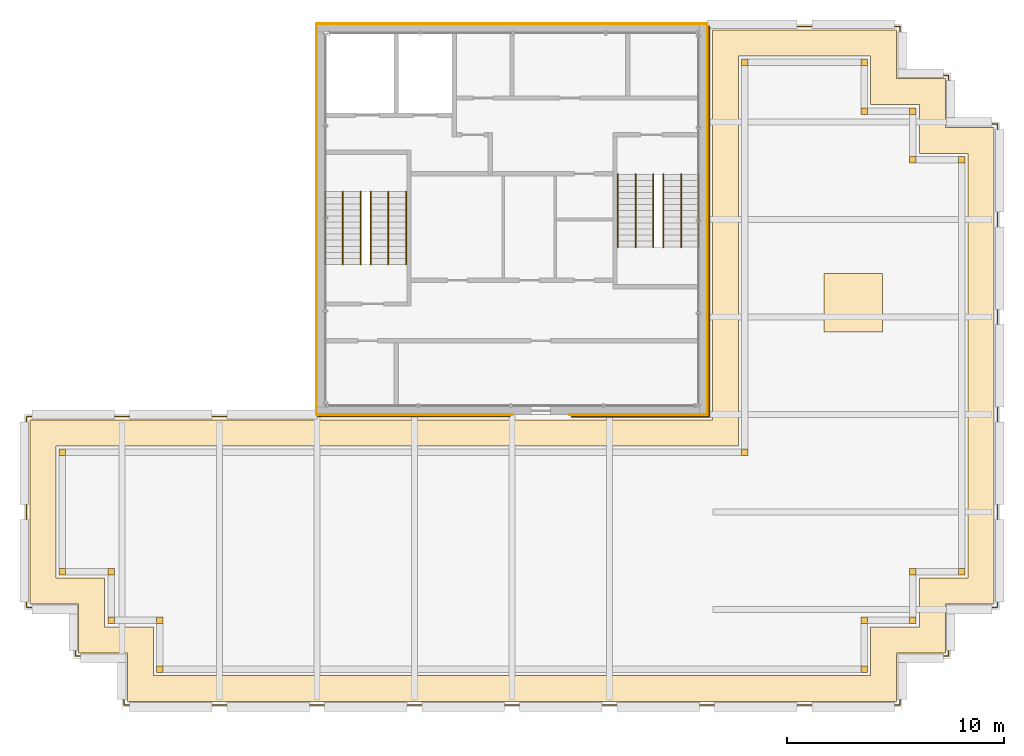
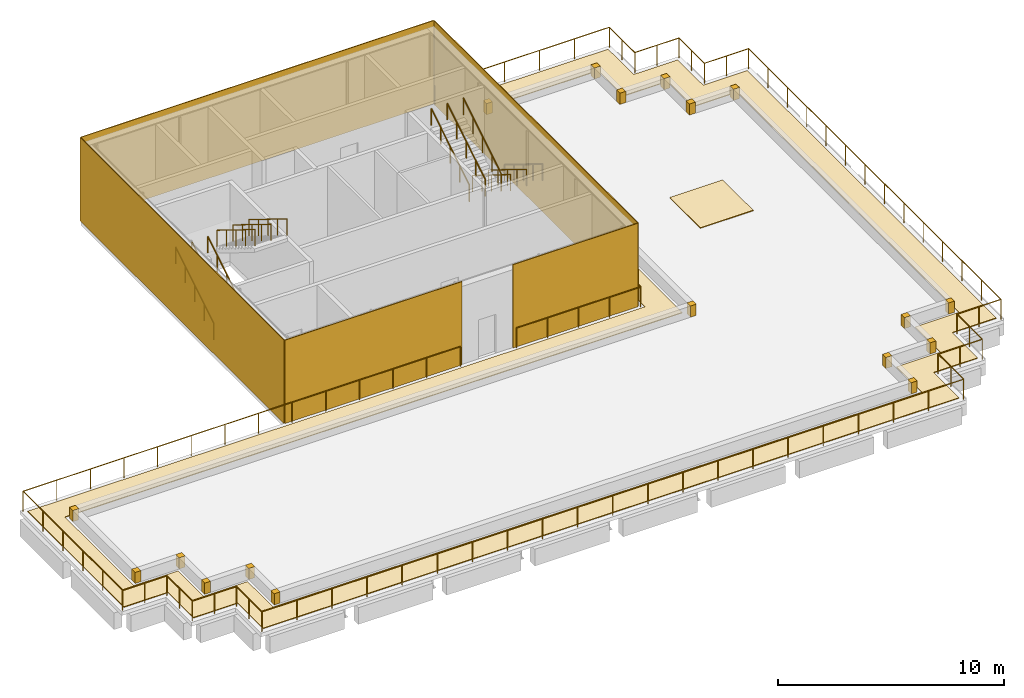
# One storey, part 11 of 11: 25 coverings, 14 railings.
"""IFC4 building model written with IfcOpenShell, lengths in metres."""

from ifc_helpers import new_model, si_unit, direction, frame, origin, origin_2d, place, context, subcontext, project, spatial, polyline, rectangle, circle, outline, extrude, source, transform, mapped, material, layer, layer_set, type_object, element, save


model = new_model("IFC4")

# Units and contexts
model_context = context("Model", 3, precision=1e-05, world=origin(), true_north=direction((0.0, 1.0)))
body_context = subcontext(model_context, "Body", "Model", "MODEL_VIEW")
ifc_project = project(units=[si_unit("LENGTHUNIT", "METRE"), si_unit("AREAUNIT", "SQUARE_METRE"), si_unit("VOLUMEUNIT", "CUBIC_METRE"), si_unit("PLANEANGLEUNIT", "RADIAN"), si_unit("MASSUNIT", "GRAM", prefix="KILO")], contexts=[model_context])

# Site, building, storey
site_placement = place(None, origin())
site = spatial("IfcSite", under=ifc_project, at=site_placement, CompositionType="ELEMENT")
building_placement = place(site_placement, origin())
building = spatial("IfcBuilding", under=site, at=building_placement, Name="Altepetl Exchange Towers", CompositionType="ELEMENT")
storey_placement = place(building_placement, frame((0.0, 0.0, 274.60009765625)))
storey = spatial("IfcBuildingStorey", under=building, at=storey_placement, Name="L69 Crown plant", CompositionType="ELEMENT", Elevation=274.60009765625)

# Coverings
ifc_material_1 = material(Name="Concrete C30/37", Category="concrete")
ifc_layer_1 = layer(ifc_material_1, 0.300048828125)
ifc_layer_set_1 = layer_set([ifc_layer_1], Name="Concrete C30/37")
covering_type_1 = type_object("IfcCoveringType", Name="Planter corner block 300 concrete", PredefinedType="CLADDING", material=ifc_layer_set_1)
covering_1_placement = place(storey_placement, origin())
element("IfcCovering", 1, at=covering_1_placement, inside=storey, type_object=covering_type_1, Name="Planter corner block", PredefinedType="CLADDING", context=body_context, shape_type="SweptSolid", body=[
    extrude(outline(polyline([(60.39990234375, 56.89990234375), (60.10009765625, 56.89990234375), (60.10009765625, 56.60009765625), (60.39990234375, 56.60009765625), (60.39990234375, 56.89990234375)])), origin(), (0.0, 0.0, 1.0), 0.599853515625),
])
covering_2_placement = place(storey_placement, origin())
element("IfcCovering", 2, at=covering_2_placement, inside=storey, type_object=covering_type_1, Name="Planter corner block", PredefinedType="CLADDING", context=body_context, shape_type="SweptSolid", body=[
    extrude(outline(polyline([(60.10009765625, 38.60009765625), (60.39990234375, 38.60009765625), (60.39990234375, 38.89990234375), (60.10009765625, 38.89990234375), (60.10009765625, 38.60009765625)])), origin(), (0.0, 0.0, 1.0), 0.599853515625),
])
covering_3_placement = place(storey_placement, origin())
element("IfcCovering", 3, at=covering_3_placement, inside=storey, type_object=covering_type_1, Name="Planter corner block", PredefinedType="CLADDING", context=body_context, shape_type="SweptSolid", body=[
    extrude(outline(polyline([(28.89990234375, 38.60009765625), (28.89990234375, 38.89990234375), (28.60009765625, 38.89990234375), (28.60009765625, 38.60009765625), (28.89990234375, 38.60009765625)])), origin(), (0.0, 0.0, 1.0), 0.599853515625),
])
covering_4_placement = place(storey_placement, origin())
element("IfcCovering", 4, at=covering_4_placement, inside=storey, type_object=covering_type_1, Name="Planter corner block", PredefinedType="CLADDING", context=body_context, shape_type="SweptSolid", body=[
    extrude(outline(polyline([(28.89990234375, 33.39990234375), (28.60009765625, 33.39990234375), (28.60009765625, 33.10009765625), (28.89990234375, 33.10009765625), (28.89990234375, 33.39990234375)])), origin(), (0.0, 0.0, 1.0), 0.599853515625),
])
covering_5_placement = place(storey_placement, origin())
element("IfcCovering", 5, at=covering_5_placement, inside=storey, type_object=covering_type_1, Name="Planter corner block", PredefinedType="CLADDING", context=body_context, shape_type="SweptSolid", body=[
    extrude(outline(polyline([(31.14990234375, 33.10009765625), (31.14990234375, 33.39990234375), (30.85009765625, 33.39990234375), (30.85009765625, 33.10009765625), (31.14990234375, 33.10009765625)])), origin(), (0.0, 0.0, 1.0), 0.599853515625),
])
covering_6_placement = place(storey_placement, origin())
element("IfcCovering", 6, at=covering_6_placement, inside=storey, type_object=covering_type_1, Name="Planter corner block", PredefinedType="CLADDING", context=body_context, shape_type="SweptSolid", body=[
    extrude(outline(polyline([(31.14990234375, 31.14990234375), (30.85009765625, 31.14990234375), (30.85009765625, 30.85009765625), (31.14990234375, 30.85009765625), (31.14990234375, 31.14990234375)])), origin(), (0.0, 0.0, 1.0), 0.599853515625),
])
covering_7_placement = place(storey_placement, origin())
element("IfcCovering", 7, at=covering_7_placement, inside=storey, type_object=covering_type_1, Name="Planter corner block", PredefinedType="CLADDING", context=body_context, shape_type="SweptSolid", body=[
    extrude(outline(polyline([(33.39990234375, 30.85009765625), (33.39990234375, 31.14990234375), (33.10009765625, 31.14990234375), (33.10009765625, 30.85009765625), (33.39990234375, 30.85009765625)])), origin(), (0.0, 0.0, 1.0), 0.599853515625),
])
covering_8_placement = place(storey_placement, origin())
element("IfcCovering", 8, at=covering_8_placement, inside=storey, type_object=covering_type_1, Name="Planter corner block", PredefinedType="CLADDING", context=body_context, shape_type="SweptSolid", body=[
    extrude(outline(polyline([(33.39990234375, 28.89990234375), (33.10009765625, 28.89990234375), (33.10009765625, 28.60009765625), (33.39990234375, 28.60009765625), (33.39990234375, 28.89990234375)])), origin(), (0.0, 0.0, 1.0), 0.599853515625),
])
covering_9_placement = place(storey_placement, origin())
element("IfcCovering", 9, at=covering_9_placement, inside=storey, type_object=covering_type_1, Name="Planter corner block", PredefinedType="CLADDING", context=body_context, shape_type="SweptSolid", body=[
    extrude(outline(polyline([(65.60009765625, 28.89990234375), (65.60009765625, 28.60009765625), (65.89990234375, 28.60009765625), (65.89990234375, 28.89990234375), (65.60009765625, 28.89990234375)])), origin(), (0.0, 0.0, 1.0), 0.599853515625),
])
covering_10_placement = place(storey_placement, origin())
element("IfcCovering", 10, at=covering_10_placement, inside=storey, type_object=covering_type_1, Name="Planter corner block", PredefinedType="CLADDING", context=body_context, shape_type="SweptSolid", body=[
    extrude(outline(polyline([(65.89990234375, 31.14990234375), (65.60009765625, 31.14990234375), (65.60009765625, 30.85009765625), (65.89990234375, 30.85009765625), (65.89990234375, 31.14990234375)])), origin(), (0.0, 0.0, 1.0), 0.599853515625),
])
covering_11_placement = place(storey_placement, origin())
element("IfcCovering", 11, at=covering_11_placement, inside=storey, type_object=covering_type_1, Name="Planter corner block", PredefinedType="CLADDING", context=body_context, shape_type="SweptSolid", body=[
    extrude(outline(polyline([(67.85009765625, 31.14990234375), (67.85009765625, 30.85009765625), (68.14990234375, 30.85009765625), (68.14990234375, 31.14990234375), (67.85009765625, 31.14990234375)])), origin(), (0.0, 0.0, 1.0), 0.599853515625),
])
covering_12_placement = place(storey_placement, origin())
element("IfcCovering", 12, at=covering_12_placement, inside=storey, type_object=covering_type_1, Name="Planter corner block", PredefinedType="CLADDING", context=body_context, shape_type="SweptSolid", body=[
    extrude(outline(polyline([(68.14990234375, 33.39990234375), (67.85009765625, 33.39990234375), (67.85009765625, 33.10009765625), (68.14990234375, 33.10009765625), (68.14990234375, 33.39990234375)])), origin(), (0.0, 0.0, 1.0), 0.599853515625),
])
covering_13_placement = place(storey_placement, origin())
element("IfcCovering", 13, at=covering_13_placement, inside=storey, type_object=covering_type_1, Name="Planter corner block", PredefinedType="CLADDING", context=body_context, shape_type="SweptSolid", body=[
    extrude(outline(polyline([(70.10009765625, 33.39990234375), (70.10009765625, 33.10009765625), (70.39990234375, 33.10009765625), (70.39990234375, 33.39990234375), (70.10009765625, 33.39990234375)])), origin(), (0.0, 0.0, 1.0), 0.599853515625),
])
covering_14_placement = place(storey_placement, origin())
element("IfcCovering", 14, at=covering_14_placement, inside=storey, type_object=covering_type_1, Name="Planter corner block", PredefinedType="CLADDING", context=body_context, shape_type="SweptSolid", body=[
    extrude(outline(polyline([(70.10009765625, 52.10009765625), (70.39990234375, 52.10009765625), (70.39990234375, 52.39990234375), (70.10009765625, 52.39990234375), (70.10009765625, 52.10009765625)])), origin(), (0.0, 0.0, 1.0), 0.599853515625),
])
covering_15_placement = place(storey_placement, origin())
element("IfcCovering", 15, at=covering_15_placement, inside=storey, type_object=covering_type_1, Name="Planter corner block", PredefinedType="CLADDING", context=body_context, shape_type="SweptSolid", body=[
    extrude(outline(polyline([(67.85009765625, 52.39990234375), (67.85009765625, 52.10009765625), (68.14990234375, 52.10009765625), (68.14990234375, 52.39990234375), (67.85009765625, 52.39990234375)])), origin(), (0.0, 0.0, 1.0), 0.599853515625),
])
covering_16_placement = place(storey_placement, origin())
element("IfcCovering", 16, at=covering_16_placement, inside=storey, type_object=covering_type_1, Name="Planter corner block", PredefinedType="CLADDING", context=body_context, shape_type="SweptSolid", body=[
    extrude(outline(polyline([(67.85009765625, 54.35009765625), (68.14990234375, 54.35009765625), (68.14990234375, 54.64990234375), (67.85009765625, 54.64990234375), (67.85009765625, 54.35009765625)])), origin(), (0.0, 0.0, 1.0), 0.599853515625),
])
covering_17_placement = place(storey_placement, origin())
element("IfcCovering", 17, at=covering_17_placement, inside=storey, type_object=covering_type_1, Name="Planter corner block", PredefinedType="CLADDING", context=body_context, shape_type="SweptSolid", body=[
    extrude(outline(polyline([(65.60009765625, 54.64990234375), (65.60009765625, 54.35009765625), (65.89990234375, 54.35009765625), (65.89990234375, 54.64990234375), (65.60009765625, 54.64990234375)])), origin(), (0.0, 0.0, 1.0), 0.599853515625),
])
covering_18_placement = place(storey_placement, origin())
element("IfcCovering", 18, at=covering_18_placement, inside=storey, type_object=covering_type_1, Name="Planter corner block", PredefinedType="CLADDING", context=body_context, shape_type="SweptSolid", body=[
    extrude(outline(polyline([(65.89990234375, 56.60009765625), (65.89990234375, 56.89990234375), (65.60009765625, 56.89990234375), (65.60009765625, 56.60009765625), (65.89990234375, 56.60009765625)])), origin(), (0.0, 0.0, 1.0), 0.599853515625),
])
ifc_material_2 = material(Name="Cantera limestone cladding", Category="masonry")
ifc_layer_2 = layer(ifc_material_2, 0.0400390625)
ifc_layer_set_2 = layer_set([ifc_layer_2], Name="Cantera limestone cladding")
covering_type_2 = type_object("IfcCoveringType", Name="Stone panel 40 cantera", PredefinedType="CLADDING", material=ifc_layer_set_2)
covering_19_placement = place(storey_placement, frame((45.0166015625, 40.47998046875, 0.0)))
element("IfcCovering", 19, at=covering_19_placement, inside=storey, type_object=covering_type_2, Name="Stone cladding panel", PredefinedType="CLADDING", context=body_context, shape_type="SweptSolid", body=[
    extrude(rectangle(XDim=9.033203125, YDim=0.0400390625, at=origin_2d()), origin(), (0.0, 0.0, 1.0), 4.5),
])
covering_20_placement = place(storey_placement, frame((55.316650390625, 40.47998046875, 0.0)))
element("IfcCovering", 20, at=covering_20_placement, inside=storey, type_object=covering_type_2, Name="Stone cladding panel", PredefinedType="CLADDING", context=body_context, shape_type="SweptSolid", body=[
    extrude(rectangle(XDim=6.36669921875, YDim=0.0400390625, at=origin_2d()), origin(), (0.0, 0.0, 1.0), 4.5),
])
for number, where, z_axis, x_axis, name in (
    (21, (58.52001953125, 49.5, 0.0), (0.0, 0.0, 1.0), (0.0, 1.0, 0.0), "Stone cladding panel"),
    (22, (49.5, 58.52001953125, 0.0), (0.0, 0.0, 1.0), (-1.0, 0.0, 0.0), "Stone cladding panel"),
    (23, (40.47998046875, 49.5, 0.0), (0.0, 0.0, 1.0), (0.0, -1.0, 0.0), "Stone cladding panel"),
):
    element("IfcCovering", number, at=place(storey_placement, frame(where, z_axis=z_axis, x_axis=x_axis)), inside=storey, type_object=covering_type_2, Name=name, PredefinedType="CLADDING", context=body_context, shape_type="SweptSolid", body=[
        extrude(rectangle(XDim=18.0, YDim=0.0400390625, at=origin_2d()), origin(), (0.0, 0.0, 1.0), 4.5),
    ])
ifc_material_3 = material(Name="Cantera limestone paving", Category="masonry")
ifc_layer_3 = layer(ifc_material_3, 0.0400390625)
ifc_layer_set_3 = layer_set([ifc_layer_3], Name="Cantera limestone paving")
covering_type_3 = type_object("IfcCoveringType", Name="Stone terrace paving 40", PredefinedType="FLOORING", material=ifc_layer_set_3)
covering_21_placement = place(storey_placement, origin())
element("IfcCovering", 24, at=covering_21_placement, inside=storey, type_object=covering_type_3, Name="Terrace paving", PredefinedType="FLOORING", context=body_context, shape_type="SweptSolid", body=[
    extrude(outline(polyline([(58.75, 58.25), (58.75, 40.25), (27.25, 40.25), (27.25, 31.75), (29.5, 31.75), (29.5, 29.5), (31.75, 29.5), (31.75, 27.25), (67.25, 27.25), (67.25, 29.5), (69.5, 29.5), (69.5, 31.75), (71.75, 31.75), (71.75, 53.75), (69.5, 53.75), (69.5, 56.0), (67.25, 56.0), (67.25, 58.25), (58.75, 58.25)]), holes=[polyline([(28.449951171875, 39.050048828125), (28.449951171875, 32.949951171875), (30.699951171875, 32.949951171875), (30.699951171875, 30.699951171875), (32.949951171875, 30.699951171875), (32.949951171875, 28.449951171875), (66.050048828125, 28.449951171875), (66.050048828125, 30.699951171875), (68.300048828125, 30.699951171875), (68.300048828125, 32.949951171875), (70.550048828125, 32.949951171875), (70.550048828125, 52.550048828125), (68.300048828125, 52.550048828125), (68.300048828125, 54.800048828125), (66.050048828125, 54.800048828125), (66.050048828125, 57.050048828125), (59.949951171875, 57.050048828125), (59.949951171875, 39.050048828125), (28.449951171875, 39.050048828125)])]), origin(), (0.0, 0.0, 1.0), 0.039794921875),
])
covering_22_placement = place(storey_placement, origin())
element("IfcCovering", 25, at=covering_22_placement, inside=storey, type_object=covering_type_3, Name="Terrace paving", PredefinedType="FLOORING", context=body_context, shape_type="SweptSolid", body=[
    extrude(outline(polyline([(63.89990234375, 47.0), (63.89990234375, 44.300048828125), (66.60009765625, 44.300048828125), (66.60009765625, 47.0), (63.89990234375, 47.0)])), origin(), (0.0, 0.0, 1.0), 0.039794921875),
])

# Railings
ifc_material_4 = material(Name="Steel S355", Category="steel")
railing_type_1 = type_object("IfcRailingType", Name="Guard 1100 steel posts and rail", PredefinedType="GUARDRAIL", material=ifc_material_4)
shared_shape_1 = source(origin(), body_context, "Body", "SweptSolid", [
    extrude(circle(Radius=0.02099609375, at=origin_2d()), origin(), (0.0, 0.0, 1.0), 1.052001953125),
])
railing_1_placement = place(storey_placement, frame((58.60009765625, 58.39990234375, 0.0)))
element("IfcRailing", 26, at=railing_1_placement, inside=storey, type_object=railing_type_1, Name="Terrace guard", PredefinedType="GUARDRAIL", context=body_context, shape_type="SweptSolid", body=[
    extrude(circle(Radius=0.02392578125, at=origin_2d()), frame((0.0, 0.0, 1.076171875), z_axis=(0.0, -1.0, 0.0), x_axis=(1.0, 0.0, 0.0)), (0.0, 0.0, 1.0), 18.0),
    extrude(circle(Radius=0.02392578125, at=origin_2d()), frame((0.0, -18.0, 1.076171875), z_axis=(-1.0, 0.0, 0.0), x_axis=(0.0, -1.0, 0.0)), (0.0, 0.0, 1.0), 6.336669921875),
    mapped(shared_shape_1, transform((0.0, 0.0, 0.0))),
    mapped(shared_shape_1, transform((0.0, -1.800048828125, 0.0))),
    mapped(shared_shape_1, transform((0.0, -3.60009765625, 0.0))),
    mapped(shared_shape_1, transform((0.0, -5.39990234375, 0.0))),
    mapped(shared_shape_1, transform((0.0, -7.199951171875, 0.0))),
    mapped(shared_shape_1, transform((0.0, -9.0, 0.0))),
    mapped(shared_shape_1, transform((0.0, -10.800048828125, 0.0))),
    mapped(shared_shape_1, transform((0.0, -12.60009765625, 0.0))),
    mapped(shared_shape_1, transform((0.0, -14.39990234375, 0.0))),
    mapped(shared_shape_1, transform((0.0, -16.199951171875, 0.0))),
    mapped(shared_shape_1, transform((0.0, -18.0, 0.0))),
    mapped(shared_shape_1, transform((-1.584228515625, -18.0, 0.0))),
    mapped(shared_shape_1, transform((-3.16845703125, -18.0, 0.0))),
    mapped(shared_shape_1, transform((-4.75244140625, -18.0, 0.0))),
    mapped(shared_shape_1, transform((-6.336669921875, -18.0, 0.0))),
])
railing_2_placement = place(storey_placement, frame((49.403076171875, 40.39990234375, 0.0)))
element("IfcRailing", 27, at=railing_2_placement, inside=storey, type_object=railing_type_1, Name="Terrace guard", PredefinedType="GUARDRAIL", context=body_context, shape_type="SweptSolid", body=[
    extrude(circle(Radius=0.02392578125, at=origin_2d()), frame((0.0, 0.0, 1.076171875), z_axis=(-1.0, 0.0, 0.0), x_axis=(0.0, -1.0, 0.0)), (0.0, 0.0, 1.0), 22.302978515625),
    extrude(circle(Radius=0.02392578125, at=origin_2d()), frame((-22.302978515625, 0.0, 1.076171875), z_axis=(0.0, -1.0, 0.0), x_axis=(1.0, 0.0, 0.0)), (0.0, 0.0, 1.0), 8.7998046875),
    extrude(circle(Radius=0.02392578125, at=origin_2d()), frame((-22.302978515625, -8.7998046875, 1.076171875), z_axis=(1.0, 0.0, 0.0), x_axis=(0.0, 1.0, 0.0)), (0.0, 0.0, 1.0), 2.25),
    extrude(circle(Radius=0.02392578125, at=origin_2d()), frame((-20.052978515625, -8.7998046875, 1.076171875), z_axis=(0.0, -1.0, 0.0), x_axis=(1.0, 0.0, 0.0)), (0.0, 0.0, 1.0), 2.25),
    extrude(circle(Radius=0.02392578125, at=origin_2d()), frame((-20.052978515625, -11.0498046875, 1.076171875), z_axis=(1.0, 0.0, 0.0), x_axis=(0.0, 1.0, 0.0)), (0.0, 0.0, 1.0), 2.25),
    extrude(circle(Radius=0.02392578125, at=origin_2d()), frame((-17.802978515625, -11.0498046875, 1.076171875), z_axis=(0.0, -1.0, 0.0), x_axis=(1.0, 0.0, 0.0)), (0.0, 0.0, 1.0), 2.25),
    extrude(circle(Radius=0.02392578125, at=origin_2d()), frame((-17.802978515625, -13.2998046875, 1.076171875), z_axis=(1.0, 0.0, 0.0), x_axis=(0.0, 1.0, 0.0)), (0.0, 0.0, 1.0), 35.7998046875),
    extrude(circle(Radius=0.02392578125, at=origin_2d()), frame((17.996826171875, -13.2998046875, 1.076171875), z_axis=(0.0, 1.0, 0.0), x_axis=(-1.0, 0.0, 0.0)), (0.0, 0.0, 1.0), 2.25),
    extrude(circle(Radius=0.02392578125, at=origin_2d()), frame((17.996826171875, -11.0498046875, 1.076171875), z_axis=(1.0, 0.0, 0.0), x_axis=(0.0, 1.0, 0.0)), (0.0, 0.0, 1.0), 2.25),
    extrude(circle(Radius=0.02392578125, at=origin_2d()), frame((20.246826171875, -11.0498046875, 1.076171875), z_axis=(0.0, 1.0, 0.0), x_axis=(-1.0, 0.0, 0.0)), (0.0, 0.0, 1.0), 2.25),
    extrude(circle(Radius=0.02392578125, at=origin_2d()), frame((20.246826171875, -8.7998046875, 1.076171875), z_axis=(1.0, 0.0, 0.0), x_axis=(0.0, 1.0, 0.0)), (0.0, 0.0, 1.0), 2.25),
    extrude(circle(Radius=0.02392578125, at=origin_2d()), frame((22.496826171875, -8.7998046875, 1.076171875), z_axis=(0.0, 1.0, 0.0), x_axis=(-1.0, 0.0, 0.0)), (0.0, 0.0, 1.0), 22.2998046875),
    extrude(circle(Radius=0.02392578125, at=origin_2d()), frame((22.496826171875, 13.5, 1.076171875), z_axis=(-1.0, 0.0, 0.0), x_axis=(0.0, -1.0, 0.0)), (0.0, 0.0, 1.0), 2.25),
    extrude(circle(Radius=0.02392578125, at=origin_2d()), frame((20.246826171875, 13.5, 1.076171875), z_axis=(0.0, 1.0, 0.0), x_axis=(-1.0, 0.0, 0.0)), (0.0, 0.0, 1.0), 2.25),
    extrude(circle(Radius=0.02392578125, at=origin_2d()), frame((20.246826171875, 15.75, 1.076171875), z_axis=(-1.0, 0.0, 0.0), x_axis=(0.0, -1.0, 0.0)), (0.0, 0.0, 1.0), 2.25),
    extrude(circle(Radius=0.02392578125, at=origin_2d()), frame((17.996826171875, 15.75, 1.076171875), z_axis=(0.0, 1.0, 0.0), x_axis=(-1.0, 0.0, 0.0)), (0.0, 0.0, 1.0), 2.25),
    extrude(circle(Radius=0.02392578125, at=origin_2d()), frame((17.996826171875, 18.0, 1.076171875), z_axis=(-1.0, 0.0, 0.0), x_axis=(0.0, -1.0, 0.0)), (0.0, 0.0, 1.0), 8.89990234375),
    mapped(shared_shape_1, transform((0.0, 0.0, 0.0))),
    mapped(shared_shape_1, transform((-1.715576171875, 0.0, 0.0))),
    mapped(shared_shape_1, transform((-3.43115234375, 0.0, 0.0))),
    mapped(shared_shape_1, transform((-5.146728515625, 0.0, 0.0))),
    mapped(shared_shape_1, transform((-6.862548828125, 0.0, 0.0))),
    mapped(shared_shape_1, transform((-8.578125, 0.0, 0.0))),
    mapped(shared_shape_1, transform((-10.293701171875, 0.0, 0.0))),
    mapped(shared_shape_1, transform((-12.00927734375, 0.0, 0.0))),
    mapped(shared_shape_1, transform((-13.724853515625, 0.0, 0.0))),
    mapped(shared_shape_1, transform((-15.4404296875, 0.0, 0.0))),
    mapped(shared_shape_1, transform((-17.15625, 0.0, 0.0))),
    mapped(shared_shape_1, transform((-18.871826171875, 0.0, 0.0))),
    mapped(shared_shape_1, transform((-20.58740234375, 0.0, 0.0))),
    mapped(shared_shape_1, transform((-22.302978515625, 0.0, 0.0))),
    mapped(shared_shape_1, transform((-22.302978515625, -1.760009765625, 0.0))),
    mapped(shared_shape_1, transform((-22.302978515625, -3.52001953125, 0.0))),
    mapped(shared_shape_1, transform((-22.302978515625, -5.27978515625, 0.0))),
    mapped(shared_shape_1, transform((-22.302978515625, -7.039794921875, 0.0))),
    mapped(shared_shape_1, transform((-22.302978515625, -8.7998046875, 0.0))),
    mapped(shared_shape_1, transform((-21.177978515625, -8.7998046875, 0.0))),
    mapped(shared_shape_1, transform((-20.052978515625, -8.7998046875, 0.0))),
    mapped(shared_shape_1, transform((-20.052978515625, -9.9248046875, 0.0))),
    mapped(shared_shape_1, transform((-20.052978515625, -11.0498046875, 0.0))),
    mapped(shared_shape_1, transform((-18.927978515625, -11.0498046875, 0.0))),
    mapped(shared_shape_1, transform((-17.802978515625, -11.0498046875, 0.0))),
    mapped(shared_shape_1, transform((-17.802978515625, -12.1748046875, 0.0))),
    mapped(shared_shape_1, transform((-17.802978515625, -13.2998046875, 0.0))),
    mapped(shared_shape_1, transform((-16.012939453125, -13.2998046875, 0.0))),
    mapped(shared_shape_1, transform((-14.222900390625, -13.2998046875, 0.0))),
    mapped(shared_shape_1, transform((-12.43310546875, -13.2998046875, 0.0))),
    mapped(shared_shape_1, transform((-10.64306640625, -13.2998046875, 0.0))),
    mapped(shared_shape_1, transform((-8.85302734375, -13.2998046875, 0.0))),
    mapped(shared_shape_1, transform((-7.06298828125, -13.2998046875, 0.0))),
    mapped(shared_shape_1, transform((-5.27294921875, -13.2998046875, 0.0))),
    mapped(shared_shape_1, transform((-3.483154296875, -13.2998046875, 0.0))),
    mapped(shared_shape_1, transform((-1.693115234375, -13.2998046875, 0.0))),
    mapped(shared_shape_1, transform((0.096923828125, -13.2998046875, 0.0))),
    mapped(shared_shape_1, transform((1.886962890625, -13.2998046875, 0.0))),
    mapped(shared_shape_1, transform((3.677001953125, -13.2998046875, 0.0))),
    mapped(shared_shape_1, transform((5.466796875, -13.2998046875, 0.0))),
    mapped(shared_shape_1, transform((7.2568359375, -13.2998046875, 0.0))),
    mapped(shared_shape_1, transform((9.046875, -13.2998046875, 0.0))),
    mapped(shared_shape_1, transform((10.8369140625, -13.2998046875, 0.0))),
    mapped(shared_shape_1, transform((12.626953125, -13.2998046875, 0.0))),
    mapped(shared_shape_1, transform((14.416748046875, -13.2998046875, 0.0))),
    mapped(shared_shape_1, transform((16.206787109375, -13.2998046875, 0.0))),
    mapped(shared_shape_1, transform((17.996826171875, -13.2998046875, 0.0))),
    mapped(shared_shape_1, transform((17.996826171875, -12.1748046875, 0.0))),
    mapped(shared_shape_1, transform((17.996826171875, -11.0498046875, 0.0))),
    mapped(shared_shape_1, transform((19.121826171875, -11.0498046875, 0.0))),
    mapped(shared_shape_1, transform((20.246826171875, -11.0498046875, 0.0))),
    mapped(shared_shape_1, transform((20.246826171875, -9.9248046875, 0.0))),
    mapped(shared_shape_1, transform((20.246826171875, -8.7998046875, 0.0))),
    mapped(shared_shape_1, transform((21.371826171875, -8.7998046875, 0.0))),
    mapped(shared_shape_1, transform((22.496826171875, -8.7998046875, 0.0))),
    mapped(shared_shape_1, transform((22.496826171875, -7.08447265625, 0.0))),
    mapped(shared_shape_1, transform((22.496826171875, -5.369140625, 0.0))),
    mapped(shared_shape_1, transform((22.496826171875, -3.65380859375, 0.0))),
    mapped(shared_shape_1, transform((22.496826171875, -1.938232421875, 0.0))),
    mapped(shared_shape_1, transform((22.496826171875, -0.222900390625, 0.0))),
    mapped(shared_shape_1, transform((22.496826171875, 1.492431640625, 0.0))),
    mapped(shared_shape_1, transform((22.496826171875, 3.207763671875, 0.0))),
    mapped(shared_shape_1, transform((22.496826171875, 4.923095703125, 0.0))),
    mapped(shared_shape_1, transform((22.496826171875, 6.638427734375, 0.0))),
    mapped(shared_shape_1, transform((22.496826171875, 8.35400390625, 0.0))),
    mapped(shared_shape_1, transform((22.496826171875, 10.0693359375, 0.0))),
    mapped(shared_shape_1, transform((22.496826171875, 11.78466796875, 0.0))),
    mapped(shared_shape_1, transform((22.496826171875, 13.5, 0.0))),
    mapped(shared_shape_1, transform((21.371826171875, 13.5, 0.0))),
    mapped(shared_shape_1, transform((20.246826171875, 13.5, 0.0))),
    mapped(shared_shape_1, transform((20.246826171875, 14.625, 0.0))),
    mapped(shared_shape_1, transform((20.246826171875, 15.75, 0.0))),
    mapped(shared_shape_1, transform((19.121826171875, 15.75, 0.0))),
    mapped(shared_shape_1, transform((17.996826171875, 15.75, 0.0))),
    mapped(shared_shape_1, transform((17.996826171875, 16.875, 0.0))),
    mapped(shared_shape_1, transform((17.996826171875, 18.0, 0.0))),
    mapped(shared_shape_1, transform((16.216796875, 18.0, 0.0))),
    mapped(shared_shape_1, transform((14.436767578125, 18.0, 0.0))),
    mapped(shared_shape_1, transform((12.656982421875, 18.0, 0.0))),
    mapped(shared_shape_1, transform((10.876953125, 18.0, 0.0))),
    mapped(shared_shape_1, transform((9.096923828125, 18.0, 0.0))),
])
ifc_material_5 = material(Name="Steel", Category="steel")
railing_type_2 = type_object("IfcRailingType", Name="Stair handrail 50 steel tube", PredefinedType="HANDRAIL", material=ifc_material_5)
shared_shape_2 = source(origin(), body_context, "Body", "SweptSolid", [
    extrude(circle(Radius=0.02099609375, at=origin_2d()), origin(), (0.0, 0.0, 1.0), 0.851806640625),
])
for number, where, name in (
    (28, (42.52001953125, 47.419921875, 0.173095703125), "Stair handrail"),
    (29, (40.8798828125, 47.419921875, 0.173095703125), "Stair handrail"),
    (30, (41.699951171875, 47.419921875, 0.173095703125), "Stair handrail"),
):
    element("IfcRailing", number, at=place(storey_placement, frame(where)), inside=storey, type_object=railing_type_2, Name=name, PredefinedType="HANDRAIL", context=body_context, shape_type="SweptSolid", body=[
        extrude(circle(Radius=0.02392578125, at=origin_2d()), frame((0.0, 0.0, 0.8759765625), z_axis=(0.0, 0.850623216509, 0.525775754039), x_axis=(-1.0, 0.0, 0.0)), (0.0, 0.0, 1.0), 3.9501953125),
        mapped(shared_shape_2, transform((0.0, 0.0, 0.0))),
        mapped(shared_shape_2, transform((0.0, 0.840087890625, 0.519287109375))),
        mapped(shared_shape_2, transform((0.0, 1.68017578125, 1.03857421875))),
        mapped(shared_shape_2, transform((0.0, 2.52001953125, 1.5576171875))),
        mapped(shared_shape_2, transform((0.0, 3.360107421875, 2.076904296875))),
    ])
for number, where, name in (
    (31, (42.97998046875, 50.780029296875, 2.423095703125), "Stair handrail"),
    (32, (44.6201171875, 50.780029296875, 2.423095703125), "Stair handrail"),
    (33, (43.800048828125, 50.780029296875, 2.423095703125), "Stair handrail"),
    (34, (56.47998046875, 51.580078125, 0.173095703125), "Stair handrail"),
    (35, (58.1201171875, 51.580078125, 0.173095703125), "Stair handrail"),
    (36, (57.300048828125, 51.580078125, 0.173095703125), "Stair handrail"),
):
    element("IfcRailing", number, at=place(storey_placement, frame(where)), inside=storey, type_object=railing_type_2, Name=name, PredefinedType="HANDRAIL", context=body_context, shape_type="SweptSolid", body=[
        extrude(circle(Radius=0.02392578125, at=origin_2d()), frame((0.0, 0.0, 0.8759765625), z_axis=(0.0, -0.850623216509, 0.525775754039), x_axis=(1.0, 0.0, 0.0)), (0.0, 0.0, 1.0), 3.9501953125),
        mapped(shared_shape_2, transform((0.0, 0.0, 0.0))),
        mapped(shared_shape_2, transform((0.0, -0.840087890625, 0.519287109375))),
        mapped(shared_shape_2, transform((0.0, -1.68017578125, 1.03857421875))),
        mapped(shared_shape_2, transform((0.0, -2.52001953125, 1.5576171875))),
        mapped(shared_shape_2, transform((0.0, -3.360107421875, 2.076904296875))),
    ])
for number, where, name in (
    (37, (56.02001953125, 48.219970703125, 2.423095703125), "Stair handrail"),
    (38, (54.3798828125, 48.219970703125, 2.423095703125), "Stair handrail"),
    (39, (55.199951171875, 48.219970703125, 2.423095703125), "Stair handrail"),
):
    element("IfcRailing", number, at=place(storey_placement, frame(where)), inside=storey, type_object=railing_type_2, Name=name, PredefinedType="HANDRAIL", context=body_context, shape_type="SweptSolid", body=[
        extrude(circle(Radius=0.02392578125, at=origin_2d()), frame((0.0, 0.0, 0.8759765625), z_axis=(0.0, 0.850623216509, 0.525775754039), x_axis=(-1.0, 0.0, 0.0)), (0.0, 0.0, 1.0), 3.9501953125),
        mapped(shared_shape_2, transform((0.0, 0.0, 0.0))),
        mapped(shared_shape_2, transform((0.0, 0.840087890625, 0.519287109375))),
        mapped(shared_shape_2, transform((0.0, 1.68017578125, 1.03857421875))),
        mapped(shared_shape_2, transform((0.0, 2.52001953125, 1.5576171875))),
        mapped(shared_shape_2, transform((0.0, 3.360107421875, 2.076904296875))),
    ])

save(model, "model.ifc")
